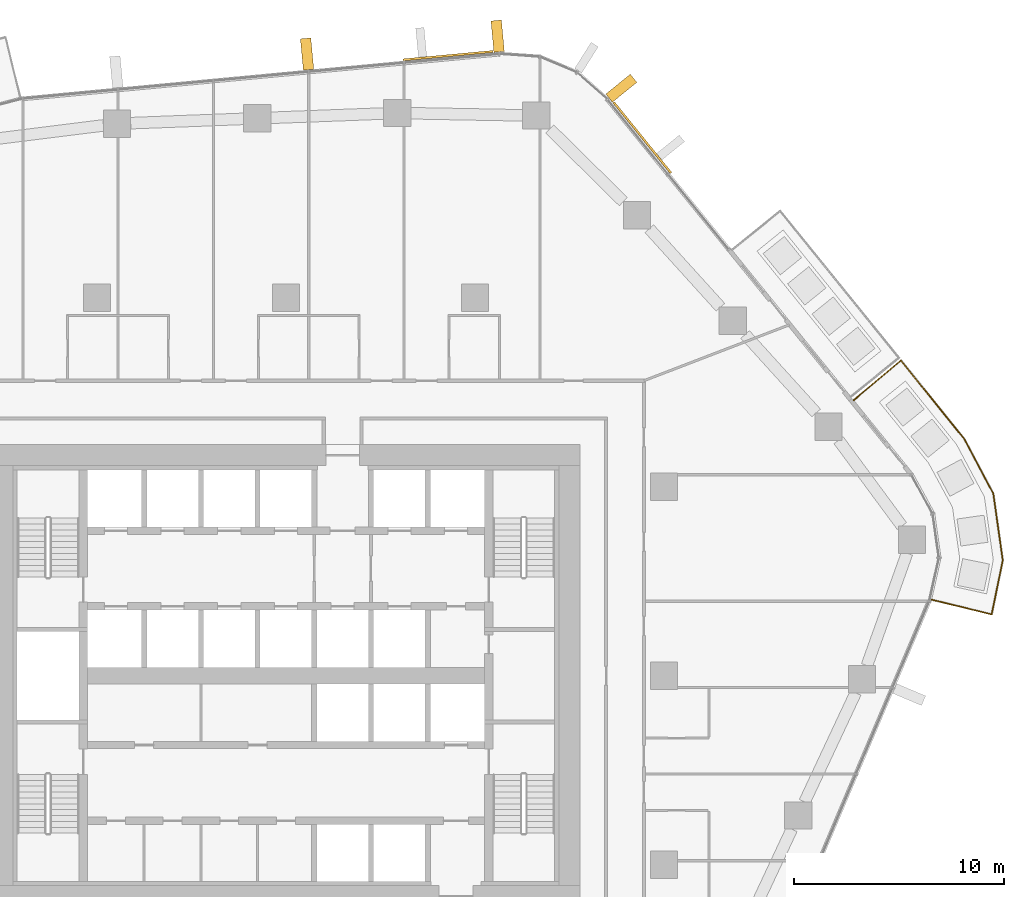
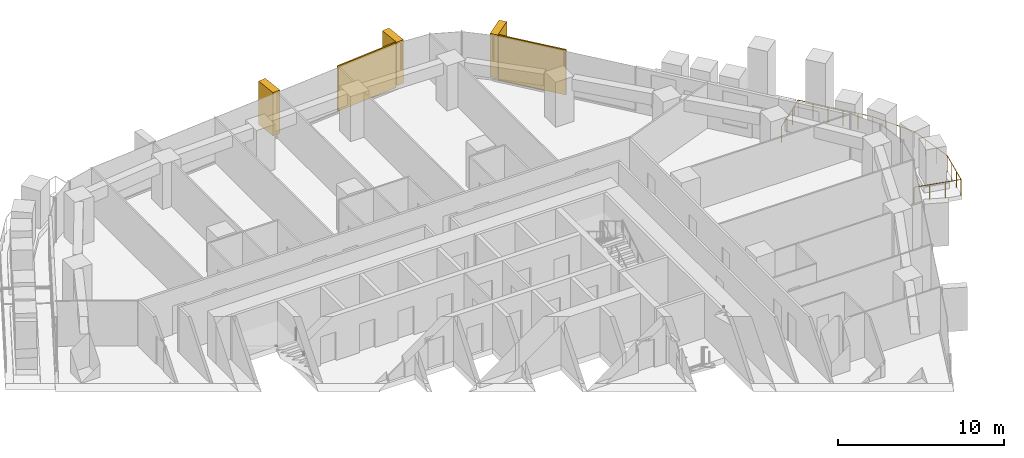
# One storey, part 24 of 24: 5 coverings, 1 railing, 2 elements without a shape of their own.
"""IFC4 building model written with IfcOpenShell, lengths in metres."""

from ifc_helpers import new_model, si_unit, direction, frame, origin, origin_2d, place, context, subcontext, project, spatial, rectangle, circle, extrude, material, layer, layer_set, material_profile, profile_set, type_object, element, aggregate, save


model = new_model("IFC4")

# Units and contexts
model_context = context("Model", 3, precision=1e-05, world=origin(), true_north=direction((0.0, 1.0)))
body_context = subcontext(model_context, "Body", "Model", "MODEL_VIEW")
ifc_project = project(units=[si_unit("LENGTHUNIT", "METRE"), si_unit("AREAUNIT", "SQUARE_METRE"), si_unit("VOLUMEUNIT", "CUBIC_METRE"), si_unit("PLANEANGLEUNIT", "RADIAN"), si_unit("MASSUNIT", "GRAM", prefix="KILO")], contexts=[model_context])

# Site, building, storey
site_placement = place(None, origin())
site = spatial("IfcSite", under=ifc_project, at=site_placement, CompositionType="ELEMENT")
building_placement = place(site_placement, origin())
building = spatial("IfcBuilding", under=site, at=building_placement, Name="Dongbaek Canopy Tower", CompositionType="ELEMENT")
storey_placement = place(building_placement, frame((0.0, 0.0, 124.800048828125)))
storey = spatial("IfcBuildingStorey", under=building, at=storey_placement, Name="L27", CompositionType="ELEMENT", Elevation=124.800048828125)

# Railing
ifc_material_1 = material(Name="Stainless steel", Category="steel")
railing_type = type_object("IfcRailingType", Name="Balcony balustrade 1200", PredefinedType="BALUSTRADE", material=ifc_material_1)
railing_placement = place(storey_placement, frame((30.753173828125, 3.62158203125, 0.0)))
element("IfcRailing", 1, at=railing_placement, inside=storey, type_object=railing_type, Name="Balcony guard L27 5", PredefinedType="BALUSTRADE", context=body_context, shape_type="SweptSolid", body=[
    extrude(circle(Radius=0.02392578125, at=origin_2d()), frame((0.0, 0.0, 1.17578125), z_axis=(0.971217005072, -0.238196408578, 0.0), x_axis=(0.238196408578, 0.971217005072, 0.0)), (0.0, 0.0, 1.0), 2.940673828125),
    extrude(circle(Radius=0.02392578125, at=origin_2d()), frame((2.85595703125, -0.700439453125, 1.17578125), z_axis=(0.200724629093, 0.979647703655, 0.0), x_axis=(-0.979647703655, 0.200724629093, 0.0)), (0.0, 0.0, 1.0), 2.627197265625),
    extrude(circle(Radius=0.02392578125, at=origin_2d()), frame((3.38330078125, 1.873291015625, 1.17578125), z_axis=(-0.139756876028, 0.990185849022, 0.0), x_axis=(-0.990185849022, -0.139756876028, 0.0)), (0.0, 0.0, 1.0), 3.203857421875),
    extrude(circle(Radius=0.02392578125, at=origin_2d()), frame((2.935546875, 5.045654296875, 1.17578125), z_axis=(-0.46915320331, 0.883116793988, 0.0), x_axis=(-0.883116793988, -0.46915320331, 0.0)), (0.0, 0.0, 1.0), 2.941650390625),
    extrude(circle(Radius=0.02392578125, at=origin_2d()), frame((1.555419921875, 7.6435546875, 1.17578125), z_axis=(-0.627404670047, 0.778693379966, 0.0), x_axis=(-0.778693379966, -0.627404670047, 0.0)), (0.0, 0.0, 1.0), 4.81689453125),
    extrude(circle(Radius=0.02392578125, at=origin_2d()), frame((-1.466796875, 11.39453125, 1.17578125), z_axis=(-0.764163591734, -0.645022484157, 0.0), x_axis=(0.645022484157, -0.764163591734, 0.0)), (0.0, 0.0, 1.0), 2.940673828125),
    extrude(circle(Radius=0.02099609375, at=origin_2d()), origin(), (0.0, 0.0, 1.0), 1.15185546875),
    extrude(circle(Radius=0.02099609375, at=origin_2d()), frame((0.951904296875, -0.2333984375, 0.0)), (0.0, 0.0, 1.0), 1.15185546875),
    extrude(circle(Radius=0.02099609375, at=origin_2d()), frame((1.904052734375, -0.467041015625, 0.0)), (0.0, 0.0, 1.0), 1.15185546875),
    extrude(circle(Radius=0.02099609375, at=origin_2d()), frame((2.85595703125, -0.700439453125, 0.0)), (0.0, 0.0, 1.0), 1.15185546875),
    extrude(circle(Radius=0.02099609375, at=origin_2d()), frame((3.03173828125, 0.157470703125, 0.0)), (0.0, 0.0, 1.0), 1.15185546875),
    extrude(circle(Radius=0.02099609375, at=origin_2d()), frame((3.20751953125, 1.015380859375, 0.0)), (0.0, 0.0, 1.0), 1.15185546875),
    extrude(circle(Radius=0.02099609375, at=origin_2d()), frame((3.38330078125, 1.873291015625, 0.0)), (0.0, 0.0, 1.0), 1.15185546875),
    extrude(circle(Radius=0.02099609375, at=origin_2d()), frame((3.234130859375, 2.9306640625, 0.0)), (0.0, 0.0, 1.0), 1.15185546875),
    extrude(circle(Radius=0.02099609375, at=origin_2d()), frame((3.084716796875, 3.98828125, 0.0)), (0.0, 0.0, 1.0), 1.15185546875),
    extrude(circle(Radius=0.02099609375, at=origin_2d()), frame((2.935546875, 5.045654296875, 0.0)), (0.0, 0.0, 1.0), 1.15185546875),
    extrude(circle(Radius=0.02099609375, at=origin_2d()), frame((2.4755859375, 5.91162109375, 0.0)), (0.0, 0.0, 1.0), 1.15185546875),
    extrude(circle(Radius=0.02099609375, at=origin_2d()), frame((2.015380859375, 6.777587890625, 0.0)), (0.0, 0.0, 1.0), 1.15185546875),
    extrude(circle(Radius=0.02099609375, at=origin_2d()), frame((1.555419921875, 7.6435546875, 0.0)), (0.0, 0.0, 1.0), 1.15185546875),
    extrude(circle(Radius=0.02099609375, at=origin_2d()), frame((0.950927734375, 8.393798828125, 0.0)), (0.0, 0.0, 1.0), 1.15185546875),
    extrude(circle(Radius=0.02099609375, at=origin_2d()), frame((0.346435546875, 9.14404296875, 0.0)), (0.0, 0.0, 1.0), 1.15185546875),
    extrude(circle(Radius=0.02099609375, at=origin_2d()), frame((-0.2578125, 9.89404296875, 0.0)), (0.0, 0.0, 1.0), 1.15185546875),
    extrude(circle(Radius=0.02099609375, at=origin_2d()), frame((-0.8623046875, 10.644287109375, 0.0)), (0.0, 0.0, 1.0), 1.15185546875),
    extrude(circle(Radius=0.02099609375, at=origin_2d()), frame((-1.466796875, 11.39453125, 0.0)), (0.0, 0.0, 1.0), 1.15185546875),
    extrude(circle(Radius=0.02099609375, at=origin_2d()), frame((-2.2158203125, 10.76220703125, 0.0)), (0.0, 0.0, 1.0), 1.15185546875),
    extrude(circle(Radius=0.02099609375, at=origin_2d()), frame((-2.96484375, 10.130126953125, 0.0)), (0.0, 0.0, 1.0), 1.15185546875),
    extrude(circle(Radius=0.02099609375, at=origin_2d()), frame((-3.7138671875, 9.497802734375, 0.0)), (0.0, 0.0, 1.0), 1.15185546875),
])

# Curtain wall, covering
ifc_material_2 = material(Name="Aluminium 6063-T6 pale anodised", Category="aluminium")
ifc_layer_1 = layer(ifc_material_2, 0.199951171875)
ifc_layer_set_1 = layer_set([ifc_layer_1], Name="CW-1 unitised tower curtain wall")
curtain_wall_type = type_object("IfcCurtainWallType", Name="CW-1 unitised tower curtain wall", PredefinedType="NOTDEFINED", material=ifc_layer_set_1)
curtain_wall_1_placement = place(storey_placement, origin())
curtain_wall_1 = element("IfcCurtainWall", 2, at=curtain_wall_1_placement, inside=storey, type_object=curtain_wall_type, Name="CW-1 curtain wall F0.1", PredefinedType="NOTDEFINED")
ifc_material_3 = material(Name="Perforated aluminium 6063-T6 pale metal screen", Category="aluminium")
ifc_layer_2 = layer(ifc_material_3, 0.10009765625)
ifc_layer_set_2 = layer_set([ifc_layer_2], Name="Facet screen FS1 100 pale metal")
covering_type_1 = type_object("IfcCoveringType", Name="Facet screen FS1 100 pale metal", PredefinedType="CLADDING", material=ifc_layer_set_2)
covering_1_placement = place(storey_placement, frame((16.97216796875, 25.625, 0.0), z_axis=(0.0, 0.0, 1.0), x_axis=(-0.629301401604, 0.777161338423, 0.0)))
covering_1 = element("IfcCovering", 3, at=covering_1_placement, type_object=covering_type_1, Name="Facet screen L27 F0", PredefinedType="CLADDING", context=body_context, shape_type="SweptSolid", body=[
    extrude(rectangle(XDim=4.33544921875, YDim=0.10009765625, at=origin_2d()), origin(), (0.0, 0.0, 1.0), 3.300048828125),
])

curtain_wall_2_placement = place(storey_placement, origin())
curtain_wall_2 = element("IfcCurtainWall", 4, at=curtain_wall_2_placement, inside=storey, type_object=curtain_wall_type, Name="CW-1 curtain wall F1.1", PredefinedType="NOTDEFINED")
covering_2_placement = place(storey_placement, frame((7.721923828125, 29.52783203125, 0.0), z_axis=(0.0, 0.0, 1.0), x_axis=(-0.995628889191, -0.093397617783, 0.0)))
covering_2 = element("IfcCovering", 5, at=covering_2_placement, type_object=covering_type_1, Name="Facet screen L27 F1", PredefinedType="CLADDING", context=body_context, shape_type="SweptSolid", body=[
    extrude(rectangle(XDim=4.294921875, YDim=0.10009765625, at=origin_2d()), origin(), (0.0, 0.0, 1.0), 3.300048828125),
])

# Covering
ifc_material_4 = material(Name="Aluminium 6063-T6 pale metal fin", Category="aluminium")
ifc_material_profile = material_profile(ifc_material_4, rectangle(XDim=1.5, YDim=0.5, at=origin_2d()), Name="Fin FN1 500 x 1500 pale metal")
ifc_profile_set = profile_set([ifc_material_profile], Name="Aluminium 6063-T6 pale metal fin")
covering_type_2 = type_object("IfcCoveringType", Name="Fin FN1 500 x 1500 pale metal", PredefinedType="CLADDING", material=ifc_profile_set)
covering_3_placement = place(storey_placement, frame((15.97265625, 27.97802734375, 0.119873046875), z_axis=(0.0, 0.0, 1.0), x_axis=(0.777161000453, 0.629301818982, 0.0)))
covering_3 = element("IfcCovering", 6, at=covering_3_placement, type_object=covering_type_2, Name="Fin F0.1.3", PredefinedType="CLADDING", context=body_context, shape_type="SweptSolid", body=[
    extrude(rectangle(XDim=1.5, YDim=0.5, at=origin_2d()), origin(), (0.0, 0.0, 1.0), 3.18017578125),
])

aggregate(curtain_wall_1, [covering_3, covering_1])

covering_4_placement = place(storey_placement, frame((10.0830078125, 30.45654296875, 0.119873046875), z_axis=(0.0, 0.0, 1.0), x_axis=(-0.093397804951, 0.995628871634, 0.0)))
covering_4 = element("IfcCovering", 7, at=covering_4_placement, type_object=covering_type_2, Name="Fin F1.1.1", PredefinedType="CLADDING", context=body_context, shape_type="SweptSolid", body=[
    extrude(rectangle(XDim=1.5, YDim=0.5, at=origin_2d()), origin(), (0.0, 0.0, 1.0), 3.18017578125),
])

covering_5_placement = place(storey_placement, frame((1.007568359375, 29.60498046875, 0.119873046875), z_axis=(0.0, 0.0, 1.0), x_axis=(-0.093397804951, 0.995628871634, 0.0)))
covering_5 = element("IfcCovering", 8, at=covering_5_placement, type_object=covering_type_2, Name="Fin F1.1.3", PredefinedType="CLADDING", context=body_context, shape_type="SweptSolid", body=[
    extrude(rectangle(XDim=1.5, YDim=0.5, at=origin_2d()), origin(), (0.0, 0.0, 1.0), 3.18017578125),
])

aggregate(curtain_wall_2, [covering_4, covering_5, covering_2])

save(model, "model.ifc")
